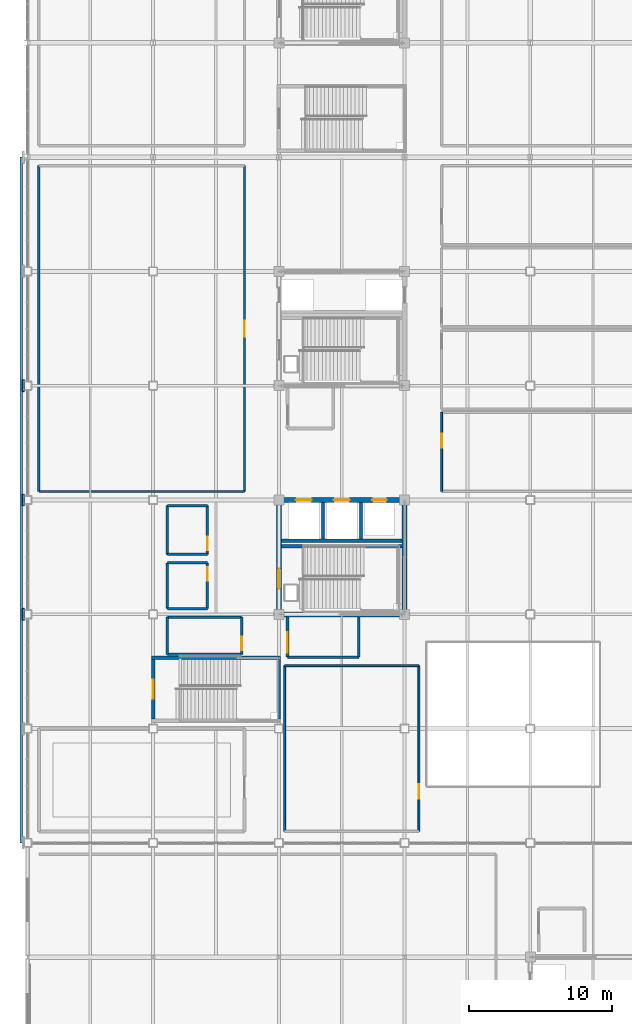
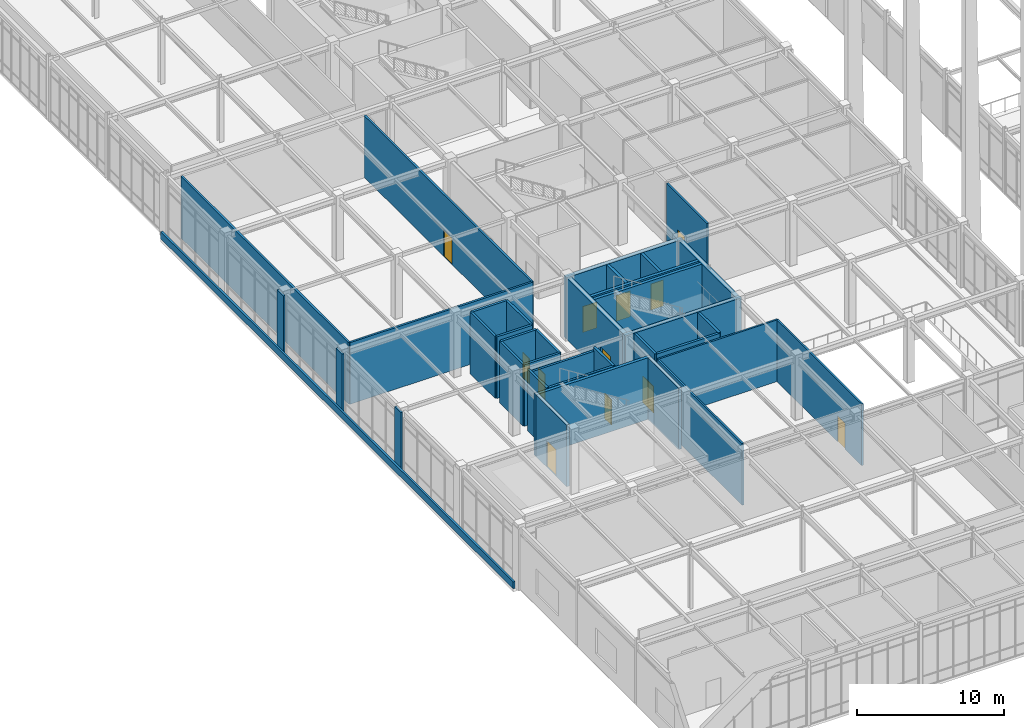
# One storey, part 161 of 184: 37 walls, 12 doors, 12 openings.
"""IFC4 building model written with IfcOpenShell, lengths in metres."""

from ifc_helpers import new_model, si_unit, direction, frame, frame_2d, origin, place, context, subcontext, project, spatial, rectangle, extrude, material, layer, layer_set, type_object, element, fill, save


model = new_model("IFC4")

# Units and contexts
model_context = context("Model", 3, precision=1e-05, world=origin(), true_north=direction((0.0, 1.0)))
body_context = subcontext(model_context, "Body", "Model", "MODEL_VIEW")
ifc_project = project(units=[si_unit("LENGTHUNIT", "METRE"), si_unit("AREAUNIT", "SQUARE_METRE"), si_unit("VOLUMEUNIT", "CUBIC_METRE"), si_unit("PLANEANGLEUNIT", "RADIAN"), si_unit("MASSUNIT", "GRAM", prefix="KILO")], contexts=[model_context])

# Site, building, storey
site_placement = place(None, origin())
site = spatial("IfcSite", under=ifc_project, at=site_placement, CompositionType="ELEMENT")
building_placement = place(site_placement, origin())
building = spatial("IfcBuilding", under=site, at=building_placement, Name="Zhaolan Boulevard Law Courts", CompositionType="ELEMENT")
storey_placement = place(building_placement, frame((0.0, 0.0, 5.39990234375)))
storey = spatial("IfcBuildingStorey", under=building, at=storey_placement, Name="L01", CompositionType="ELEMENT", Elevation=5.39990234375)

# Wall
ifc_material_1 = material(Name="Concrete C50", Category="concrete")
ifc_layer_1 = layer(ifc_material_1, 0.35009765625)
ifc_layer_set_1 = layer_set([ifc_layer_1])
wall_type_1 = type_object("IfcWallType", Name="CORE SHEAR WALL 350", PredefinedType="SHEAR", material=ifc_layer_set_1)
wall_1_placement = place(storey_placement, frame((17.425048828125, 46.0, 0.0), z_axis=(0.0, 0.0, 1.0), x_axis=(1.0, 0.0, 0.0)))
element("IfcWall", 1, at=wall_1_placement, inside=storey, type_object=wall_type_1, Name="Core Shear Wall CW-W1-L01S", PredefinedType="SHEAR", context=body_context, shape_type="SweptSolid", body=[
    extrude(rectangle(XDim=9.14990234375, YDim=0.35009765625, at=frame_2d((4.574951171875, 0.0))), origin(), (0.0, 0.0, 1.0), 5.1201171875),
])

# Wall, openings, doors
wall_2_placement = place(storey_placement, frame((26.574951171875, 54.0, 0.0), z_axis=(0.0, 0.0, 1.0), x_axis=(-1.0, 0.0, 0.0)))
wall_2 = element("IfcWall", 2, at=wall_2_placement, inside=storey, type_object=wall_type_1, Name="Core Shear Wall CW-W1-L01N", PredefinedType="SHEAR", context=body_context, shape_type="SweptSolid", body=[
    extrude(rectangle(XDim=9.14990234375, YDim=0.35009765625, at=frame_2d((4.574951171875, 0.0))), origin(), (0.0, 0.0, 1.0), 5.1201171875),
])
opening_1_placement = place(wall_2_placement, frame((6.675048828125, 0.0, 0.0)))
opening_1 = element("IfcOpeningElement", 3, at=opening_1_placement, cuts=wall_2, Name="Opening LD-FL-01-L01", PredefinedType="OPENING", context=body_context, shape_type="SweptSolid", body=[
    extrude(rectangle(XDim=1.10009765625, YDim=2.14990234375, at=frame_2d((0.550048828125, 1.074951171875))), frame((0.0, 0.18505859375, 0.0), z_axis=(0.0, -1.0, 0.0), x_axis=(1.0, 0.0, 0.0)), (0.0, 0.0, 1.0), 0.3701171875),
])
opening_2_placement = place(wall_2_placement, frame((4.02490234375, 0.0, 0.0)))
opening_2 = element("IfcOpeningElement", 4, at=opening_2_placement, cuts=wall_2, Name="Opening LD-FL-02-L01", PredefinedType="OPENING", context=body_context, shape_type="SweptSolid", body=[
    extrude(rectangle(XDim=1.10009765625, YDim=2.14990234375, at=frame_2d((0.550048828125, 1.074951171875))), frame((0.0, 0.18505859375, 0.0), z_axis=(0.0, -1.0, 0.0), x_axis=(1.0, 0.0, 0.0)), (0.0, 0.0, 1.0), 0.3701171875),
])
opening_3_placement = place(wall_2_placement, frame((1.425048828125, 0.0, 0.0)))
opening_3 = element("IfcOpeningElement", 5, at=opening_3_placement, cuts=wall_2, Name="Opening LD-JL-01-L01", PredefinedType="OPENING", context=body_context, shape_type="SweptSolid", body=[
    extrude(rectangle(XDim=1.0, YDim=2.14990234375, at=frame_2d((0.5, 1.074951171875))), frame((0.0, 0.18505859375, 0.0), z_axis=(0.0, -1.0, 0.0), x_axis=(1.0, 0.0, 0.0)), (0.0, 0.0, 1.0), 0.3701171875),
])
ifc_material_2 = material(Name="Stainless steel sliding landing door", Category="steel")
door_type_1 = type_object("IfcDoorType", Name="LIFT LANDING 1000X2150", OperationType="DOUBLE_DOOR_SLIDING", PredefinedType="DOOR", material=ifc_material_2)
door_1_placement = place(opening_3_placement, origin())
door_1 = element("IfcDoor", 6, at=door_1_placement, inside=storey, type_object=door_type_1, Name="Lift Landing Sliding Door LD-JL-01-L01", OperationType="DOUBLE_DOOR_SLIDING", OverallHeight=2.14990234375, OverallWidth=1.0, PredefinedType="DOOR", context=body_context, shape_type="SweptSolid", body=[
    extrude(rectangle(XDim=1.0, YDim=2.14990234375, at=frame_2d((0.5, 1.074951171875))), frame((0.0, 0.02490234375, 0.0), z_axis=(0.0, -1.0, 0.0), x_axis=(1.0, 0.0, 0.0)), (0.0, 0.0, 1.0), 0.050048828125),
])
fill(opening_3, door_1)
ifc_material_3 = material(Name="Stainless steel sliding landing door", Category="steel")
door_type_2 = type_object("IfcDoorType", Name="LIFT LANDING 1100X2150", OperationType="DOUBLE_DOOR_SLIDING", PredefinedType="DOOR", material=ifc_material_3)
door_2_placement = place(opening_1_placement, origin())
door_2 = element("IfcDoor", 7, at=door_2_placement, inside=storey, type_object=door_type_2, Name="Lift Landing Sliding Door LD-FL-01-L01", OperationType="DOUBLE_DOOR_SLIDING", OverallHeight=2.14990234375, OverallWidth=1.10009765625, PredefinedType="DOOR", context=body_context, shape_type="SweptSolid", body=[
    extrude(rectangle(XDim=1.10009765625, YDim=2.14990234375, at=frame_2d((0.550048828125, 1.074951171875))), frame((0.0, 0.02490234375, 0.0), z_axis=(0.0, -1.0, 0.0), x_axis=(1.0, 0.0, 0.0)), (0.0, 0.0, 1.0), 0.050048828125),
])
fill(opening_1, door_2)
door_3_placement = place(opening_2_placement, origin())
door_3 = element("IfcDoor", 8, at=door_3_placement, inside=storey, type_object=door_type_2, Name="Lift Landing Sliding Door LD-FL-02-L01", OperationType="DOUBLE_DOOR_SLIDING", OverallHeight=2.14990234375, OverallWidth=1.10009765625, PredefinedType="DOOR", context=body_context, shape_type="SweptSolid", body=[
    extrude(rectangle(XDim=1.10009765625, YDim=2.14990234375, at=frame_2d((0.550048828125, 1.074951171875))), frame((0.0, 0.02490234375, 0.0), z_axis=(0.0, -1.0, 0.0), x_axis=(1.0, 0.0, 0.0)), (0.0, 0.0, 1.0), 0.050048828125),
])
fill(opening_2, door_3)

# Wall, opening, door
wall_3_placement = place(storey_placement, frame((17.60009765625, 46.175048828125, 0.0), z_axis=(0.0, 0.0, 1.0), x_axis=(0.0, 1.0, 0.0)))
wall_3 = element("IfcWall", 9, at=wall_3_placement, inside=storey, type_object=wall_type_1, Name="Core Shear Wall CW-W1-L01W", PredefinedType="SHEAR", context=body_context, shape_type="SweptSolid", body=[
    extrude(rectangle(XDim=7.64990234375, YDim=0.35009765625, at=frame_2d((3.824951171875, 0.0))), origin(), (0.0, 0.0, 1.0), 5.1201171875),
])
opening_4_placement = place(wall_3_placement, frame((1.625, 0.0, 0.0)))
opening_4 = element("IfcOpeningElement", 10, at=opening_4_placement, cuts=wall_3, Name="Opening SD-L01-03", PredefinedType="OPENING", context=body_context, shape_type="SweptSolid", body=[
    extrude(rectangle(XDim=1.39990234375, YDim=2.199951171875, at=frame_2d((0.699951171875, 1.10009765625))), frame((0.0, 0.18505859375, 0.0), z_axis=(0.0, -1.0, 0.0), x_axis=(1.0, 0.0, 0.0)), (0.0, 0.0, 1.0), 0.3701171875),
])
ifc_material_4 = material(Name="Fire-rated steel acoustic door", Category="steel")
door_type_3 = type_object("IfcDoorType", Name="STAIR FIRE 1400X2200 L", OperationType="SINGLE_SWING_LEFT", PredefinedType="DOOR", material=ifc_material_4)
door_4_placement = place(opening_4_placement, origin())
door_4 = element("IfcDoor", 11, at=door_4_placement, inside=storey, type_object=door_type_3, Name="Smoke-Proof Stairwell Fire Door SD-L01-03", OperationType="SINGLE_SWING_LEFT", OverallHeight=2.199951171875, OverallWidth=1.39990234375, PredefinedType="DOOR", context=body_context, shape_type="SweptSolid", body=[
    extrude(rectangle(XDim=1.39990234375, YDim=2.199951171875, at=frame_2d((0.699951171875, 1.10009765625))), frame((0.0, 0.02490234375, 0.0), z_axis=(0.0, -1.0, 0.0), x_axis=(1.0, 0.0, 0.0)), (0.0, 0.0, 1.0), 0.050048828125),
])
fill(opening_4, door_4)

# Walls
wall_4_placement = place(storey_placement, frame((26.39990234375, 46.175048828125, 0.0), z_axis=(0.0, 0.0, 1.0), x_axis=(0.0, 1.0, 0.0)))
element("IfcWall", 12, at=wall_4_placement, inside=storey, type_object=wall_type_1, Name="Core Shear Wall CW-W1-L01E", PredefinedType="SHEAR", context=body_context, shape_type="SweptSolid", body=[
    extrude(rectangle(XDim=7.64990234375, YDim=0.35009765625, at=frame_2d((3.824951171875, 0.0))), origin(), (0.0, 0.0, 1.0), 5.1201171875),
])
ifc_material_5 = material(Name="Concrete C40", Category="concrete")
ifc_layer_2 = layer(ifc_material_5, 0.139892578125)
ifc_layer_set_2 = layer_set([ifc_layer_2])
wall_type_2 = type_object("IfcWallType", Name="EXT WALL ARCH CLAD140", PredefinedType="SOLIDWALL", material=ifc_layer_set_2)
for number, where, z_axis, x_axis, name in (
    (13, (-0.280029296875, 45.580078125, 0.0), (0.0, 0.0, 1.0), (0.0, 1.0, 0.0), "Concrete Column Cloak Pier CPR-044"),
    (14, (-0.280029296875, 53.580078125, 0.0), (0.0, 0.0, 1.0), (0.0, 1.0, 0.0), "Concrete Column Cloak Pier CPR-046"),
    (15, (-0.280029296875, 61.580078125, 0.0), (0.0, 0.0, 1.0), (0.0, 1.0, 0.0), "Concrete Column Cloak Pier CPR-048"),
):
    element("IfcWall", number, at=place(storey_placement, frame(where, z_axis=z_axis, x_axis=x_axis)), inside=storey, type_object=wall_type_2, Name=name, PredefinedType="SOLIDWALL", context=body_context, shape_type="SweptSolid", body=[
        extrude(rectangle(XDim=0.83984375, YDim=0.139892578125, at=frame_2d((0.419921875, 0.0))), origin(), (0.0, 0.0, 1.0), 5.14013671875),
    ])
ifc_material_6 = material(Name="Concrete C40", Category="concrete")
ifc_layer_3 = layer(ifc_material_6, 0.159912109375)
ifc_layer_set_3 = layer_set([ifc_layer_3])
wall_type_3 = type_object("IfcWallType", Name="EXT WALL ARCH CLAD160", PredefinedType="SOLIDWALL", material=ifc_layer_set_3)
wall_5_placement = place(storey_placement, frame((-0.43994140625, 78.0, 0.0), z_axis=(0.0, 0.0, 1.0), x_axis=(0.0, -1.0, 0.0)))
element("IfcWall", 16, at=wall_5_placement, inside=storey, type_object=wall_type_3, Name="Sculpted Concrete Spandrel Band CBW-038", PredefinedType="SOLIDWALL", context=body_context, shape_type="SweptSolid", body=[
    extrude(rectangle(XDim=48.0, YDim=0.159912109375, at=frame_2d((24.0, 0.0))), origin(), (0.0, 0.0, 1.0), 0.580078125),
])
ifc_material_7 = material(Name="Concrete C50", Category="concrete")
ifc_layer_4 = layer(ifc_material_7, 0.239990234375)
ifc_layer_set_4 = layer_set([ifc_layer_4])
wall_type_4 = type_object("IfcWallType", Name="LIFT SHAFT WALL 240", PredefinedType="SHEAR", material=ifc_layer_set_4)
wall_6_placement = place(storey_placement, frame((17.77490234375, 51.155029296875, 0.0), z_axis=(0.0, 0.0, 1.0), x_axis=(1.0, 0.0, 0.0)))
element("IfcWall", 17, at=wall_6_placement, inside=storey, type_object=wall_type_4, Name="Lift Shaft Enclosure Wall W1 (L01)", PredefinedType="SHEAR", context=body_context, shape_type="SweptSolid", body=[
    extrude(rectangle(XDim=8.4501953125, YDim=0.239990234375, at=frame_2d((4.22509765625, 0.0))), origin(), (0.0, 0.0, 1.0), 5.1201171875),
])
ifc_material_8 = material(Name="Acoustic gypsum and mineral-wool stud")
ifc_layer_5 = layer(ifc_material_8, 0.18994140625)
ifc_layer_set_5 = layer_set([ifc_layer_5])
wall_type_5 = type_object("IfcWallType", Name="PART WALL ACOUST190", PredefinedType="PARTITIONING", material=ifc_layer_set_5)
wall_7_placement = place(storey_placement, frame((18.199951171875, 43.0, 0.0), z_axis=(0.0, 0.0, 1.0), x_axis=(1.0, 0.0, 0.0)))
element("IfcWall", 18, at=wall_7_placement, inside=storey, type_object=wall_type_5, Name="Interior Partition PW-L01-013", PredefinedType="PARTITIONING", context=body_context, shape_type="SweptSolid", body=[
    extrude(rectangle(XDim=5.0, YDim=0.18994140625, at=frame_2d((2.5, 0.0))), origin(), (0.0, 0.0, 1.0), 5.1201171875),
])

# Wall, opening, door
wall_8_placement = place(storey_placement, frame((18.199951171875, 45.800048828125, 0.0), z_axis=(0.0, 0.0, 1.0), x_axis=(0.0, -1.0, 0.0)))
wall_8 = element("IfcWall", 19, at=wall_8_placement, inside=storey, type_object=wall_type_5, Name="Interior Partition PW-L01-014", PredefinedType="PARTITIONING", context=body_context, shape_type="SweptSolid", body=[
    extrude(rectangle(XDim=2.800048828125, YDim=0.18994140625, at=frame_2d((1.39990234375, 0.0))), origin(), (0.0, 0.0, 1.0), 5.1201171875),
])
opening_5_placement = place(wall_8_placement, frame((1.050048828125, 0.0, 0.0)))
opening_5 = element("IfcOpeningElement", 20, at=opening_5_placement, cuts=wall_8, Name="Opening FD-L01-005", PredefinedType="OPENING", context=body_context, shape_type="SweptSolid", body=[
    extrude(rectangle(XDim=1.449951171875, YDim=2.199951171875, at=frame_2d((0.72509765625, 1.10009765625))), frame((0.0, 0.10498046875, 0.0), z_axis=(0.0, -1.0, 0.0), x_axis=(1.0, 0.0, 0.0)), (0.0, 0.0, 1.0), 0.2099609375),
])
ifc_material_9 = material(Name="Fire-rated steel acoustic door", Category="steel")
door_type_4 = type_object("IfcDoorType", Name="LOBBY FIRE 1450X2200 L", OperationType="SINGLE_SWING_LEFT", PredefinedType="DOOR", material=ifc_material_9)
door_5_placement = place(opening_5_placement, origin())
door_5 = element("IfcDoor", 21, at=door_5_placement, inside=storey, type_object=door_type_4, Name="Door FD-L01-005 (Lobby Firefighting Lift L01-W1)", OperationType="SINGLE_SWING_LEFT", OverallHeight=2.199951171875, OverallWidth=1.449951171875, PredefinedType="DOOR", context=body_context, shape_type="SweptSolid", body=[
    extrude(rectangle(XDim=1.449951171875, YDim=2.199951171875, at=frame_2d((0.72509765625, 1.10009765625))), frame((0.0, 0.02490234375, 0.0), z_axis=(0.0, -1.0, 0.0), x_axis=(1.0, 0.0, 0.0)), (0.0, 0.0, 1.0), 0.050048828125),
])
fill(opening_5, door_5)

# Walls
wall_9_placement = place(storey_placement, frame((23.199951171875, 43.0, 0.0), z_axis=(0.0, 0.0, 1.0), x_axis=(0.0, 1.0, 0.0)))
element("IfcWall", 22, at=wall_9_placement, inside=storey, type_object=wall_type_5, Name="Interior Partition PW-L01-015", PredefinedType="PARTITIONING", context=body_context, shape_type="SweptSolid", body=[
    extrude(rectangle(XDim=2.800048828125, YDim=0.18994140625, at=frame_2d((1.39990234375, 0.0))), origin(), (0.0, 0.0, 1.0), 5.1201171875),
])
ifc_material_10 = material(Name="Fire-rated gypsum stud partition")
ifc_layer_6 = layer(ifc_material_10, 0.159912109375)
ifc_layer_set_6 = layer_set([ifc_layer_6])
wall_type_6 = type_object("IfcWallType", Name="PART WALL CHAMB160", PredefinedType="PARTITIONING", material=ifc_layer_set_6)
wall_10_placement = place(storey_placement, frame((0.800048828125, 54.60009765625, 0.0), z_axis=(0.0, 0.0, 1.0), x_axis=(1.0, 0.0, 0.0)))
element("IfcWall", 23, at=wall_10_placement, inside=storey, type_object=wall_type_6, Name="Interior Partition PW-L01-403", PredefinedType="PARTITIONING", context=body_context, shape_type="SweptSolid", body=[
    extrude(rectangle(XDim=14.39990234375, YDim=0.159912109375, at=frame_2d((7.199951171875, 0.0))), origin(), (0.0, 0.0, 1.0), 5.1201171875),
])
wall_11_placement = place(storey_placement, frame((0.800048828125, 77.39990234375, 0.0), z_axis=(0.0, 0.0, 1.0), x_axis=(0.0, -1.0, 0.0)))
element("IfcWall", 24, at=wall_11_placement, inside=storey, type_object=wall_type_6, Name="Interior Partition PW-L01-405", PredefinedType="PARTITIONING", context=body_context, shape_type="SweptSolid", body=[
    extrude(rectangle(XDim=22.7998046875, YDim=0.159912109375, at=frame_2d((11.39990234375, 0.0))), origin(), (0.0, 0.0, 1.0), 5.1201171875),
])

# Wall, opening, door
wall_12_placement = place(storey_placement, frame((15.199951171875, 54.60009765625, 0.0), z_axis=(0.0, 0.0, 1.0), x_axis=(0.0, 1.0, 0.0)))
wall_12 = element("IfcWall", 25, at=wall_12_placement, inside=storey, type_object=wall_type_6, Name="Interior Partition PW-L01-406", PredefinedType="PARTITIONING", context=body_context, shape_type="SweptSolid", body=[
    extrude(rectangle(XDim=22.7998046875, YDim=0.159912109375, at=frame_2d((11.39990234375, 0.0))), origin(), (0.0, 0.0, 1.0), 5.1201171875),
])
opening_6_placement = place(wall_12_placement, frame((10.840087890625, 0.0, 0.0)))
opening_6 = element("IfcOpeningElement", 26, at=opening_6_placement, cuts=wall_12, Name="Opening JR-L01-126", PredefinedType="OPENING", context=body_context, shape_type="SweptSolid", body=[
    extrude(rectangle(XDim=1.1201171875, YDim=2.199951171875, at=frame_2d((0.56005859375, 1.10009765625))), frame((0.0, 0.08984375, 0.0), z_axis=(0.0, -1.0, 0.0), x_axis=(1.0, 0.0, 0.0)), (0.0, 0.0, 1.0), 0.179931640625),
])
ifc_material_11 = material(Name="Solid-core acoustic oak veneer door")
door_type_5 = type_object("IfcDoorType", Name="JURY DOOR 1120X2200 R", OperationType="SINGLE_SWING_RIGHT", PredefinedType="DOOR", material=ifc_material_11)
door_6_placement = place(opening_6_placement, origin())
door_6 = element("IfcDoor", 27, at=door_6_placement, inside=storey, type_object=door_type_5, Name="Door JR-L01-126 (Jury Room L01)", OperationType="SINGLE_SWING_RIGHT", OverallHeight=2.199951171875, OverallWidth=1.1201171875, PredefinedType="DOOR", context=body_context, shape_type="SweptSolid", body=[
    extrude(rectangle(XDim=1.1201171875, YDim=2.199951171875, at=frame_2d((0.56005859375, 1.10009765625))), frame((0.0, 0.02490234375, 0.0), z_axis=(0.0, -1.0, 0.0), x_axis=(1.0, 0.0, 0.0)), (0.0, 0.0, 1.0), 0.050048828125),
])
fill(opening_6, door_6)

# Walls
ifc_material_12 = material(Name="Concrete C40", Category="concrete")
ifc_layer_7 = layer(ifc_material_12, 0.2099609375)
ifc_layer_set_7 = layer_set([ifc_layer_7])
wall_type_7 = type_object("IfcWallType", Name="PART WALL CUSTODY210", PredefinedType="PARTITIONING", material=ifc_layer_set_7)
for number, where, z_axis, x_axis, name in (
    (28, (20.675048828125, 51.277099609375, 0.0), (0.0, 0.0, 1.0), (0.0, 1.0, 0.0), "Lift Shaft Divider Wall W1-1 (L01)"),
    (29, (23.337890625, 51.277099609375, 0.0), (0.0, 0.0, 1.0), (0.0, 1.0, 0.0), "Lift Shaft Divider Wall W1-2 (L01)"),
):
    element("IfcWall", number, at=place(storey_placement, frame(where, z_axis=z_axis, x_axis=x_axis)), inside=storey, type_object=wall_type_7, Name=name, PredefinedType="PARTITIONING", context=body_context, shape_type="SweptSolid", body=[
        extrude(rectangle(XDim=2.5458984375, YDim=0.2099609375, at=frame_2d((1.27294921875, 0.0))), origin(), (0.0, 0.0, 1.0), 5.1201171875),
    ])

# Wall, opening, door
ifc_material_13 = material(Name="Fire-rated gypsum stud partition")
ifc_layer_8 = layer(ifc_material_13, 0.139892578125)
ifc_layer_set_8 = layer_set([ifc_layer_8])
wall_type_8 = type_object("IfcWallType", Name="PART WALL OFFICE140", PredefinedType="PARTITIONING", material=ifc_layer_set_8)
wall_13_placement = place(storey_placement, frame((29.0, 60.135009765625, 0.0), z_axis=(0.0, 0.0, 1.0), x_axis=(0.0, -1.0, 0.0)))
wall_13 = element("IfcWall", 30, at=wall_13_placement, inside=storey, type_object=wall_type_8, Name="Interior Partition PW-L01-409", PredefinedType="PARTITIONING", context=body_context, shape_type="SweptSolid", body=[
    extrude(rectangle(XDim=5.534912109375, YDim=0.139892578125, at=frame_2d((2.767578125, 0.0))), origin(), (0.0, 0.0, 1.0), 5.1201171875),
])
opening_7_placement = place(wall_13_placement, frame((1.486083984375, 0.0, 0.0)))
opening_7 = element("IfcOpeningElement", 31, at=opening_7_placement, cuts=wall_13, Name="Opening JD-L01-127", PredefinedType="OPENING", context=body_context, shape_type="SweptSolid", body=[
    extrude(rectangle(XDim=0.97998046875, YDim=2.14990234375, at=frame_2d((0.489990234375, 1.074951171875))), frame((0.0, 0.079833984375, 0.0), z_axis=(0.0, -1.0, 0.0), x_axis=(1.0, 0.0, 0.0)), (0.0, 0.0, 1.0), 0.159912109375),
])
ifc_material_14 = material(Name="Solid-core acoustic oak veneer door")
door_type_6 = type_object("IfcDoorType", Name="CHAMBER DOOR 980X2150 R", OperationType="SINGLE_SWING_RIGHT", PredefinedType="DOOR", material=ifc_material_14)
door_7_placement = place(opening_7_placement, origin())
door_7 = element("IfcDoor", 32, at=door_7_placement, inside=storey, type_object=door_type_6, Name="Door JD-L01-127 (Judges' Chambers L01-01)", OperationType="SINGLE_SWING_RIGHT", OverallHeight=2.14990234375, OverallWidth=0.97998046875, PredefinedType="DOOR", context=body_context, shape_type="SweptSolid", body=[
    extrude(rectangle(XDim=0.97998046875, YDim=2.14990234375, at=frame_2d((0.489990234375, 1.074951171875))), frame((0.0, 0.02490234375, 0.0), z_axis=(0.0, -1.0, 0.0), x_axis=(1.0, 0.0, 0.0)), (0.0, 0.0, 1.0), 0.050048828125),
])
fill(opening_7, door_7)

# Walls
wall_14_placement = place(storey_placement, frame((27.39990234375, 42.39990234375, 0.0), z_axis=(0.0, 0.0, 1.0), x_axis=(-1.0, 0.0, 0.0)))
element("IfcWall", 33, at=wall_14_placement, inside=storey, type_object=wall_type_8, Name="Interior Partition PW-L01-760", PredefinedType="PARTITIONING", context=body_context, shape_type="SweptSolid", body=[
    extrude(rectangle(XDim=9.39990234375, YDim=0.139892578125, at=frame_2d((4.699951171875, 0.0))), origin(), (0.0, 0.0, 1.0), 5.1201171875),
])
wall_15_placement = place(storey_placement, frame((18.0, 42.39990234375, 0.0), z_axis=(0.0, 0.0, 1.0), x_axis=(0.0, -1.0, 0.0)))
element("IfcWall", 34, at=wall_15_placement, inside=storey, type_object=wall_type_8, Name="Interior Partition PW-L01-761", PredefinedType="PARTITIONING", context=body_context, shape_type="SweptSolid", body=[
    extrude(rectangle(XDim=11.599853515625, YDim=0.139892578125, at=frame_2d((5.7998046875, 0.0))), origin(), (0.0, 0.0, 1.0), 5.1201171875),
])

# Wall, opening, door
wall_16_placement = place(storey_placement, frame((27.39990234375, 30.800048828125, 0.0), z_axis=(0.0, 0.0, 1.0), x_axis=(0.0, 1.0, 0.0)))
wall_16 = element("IfcWall", 35, at=wall_16_placement, inside=storey, type_object=wall_type_8, Name="Interior Partition PW-L01-762", PredefinedType="PARTITIONING", context=body_context, shape_type="SweptSolid", body=[
    extrude(rectangle(XDim=11.599853515625, YDim=0.139892578125, at=frame_2d((5.7998046875, 0.0))), origin(), (0.0, 0.0, 1.0), 5.1201171875),
])
opening_8_placement = place(wall_16_placement, frame((2.300048828125, 0.0, 0.0)))
opening_8 = element("IfcOpeningElement", 36, at=opening_8_placement, cuts=wall_16, Name="Opening JD-L01-238", PredefinedType="OPENING", context=body_context, shape_type="SweptSolid", body=[
    extrude(rectangle(XDim=1.0, YDim=2.14990234375, at=frame_2d((0.5, 1.074951171875))), frame((0.0, 0.079833984375, 0.0), z_axis=(0.0, -1.0, 0.0), x_axis=(1.0, 0.0, 0.0)), (0.0, 0.0, 1.0), 0.159912109375),
])
ifc_material_15 = material(Name="Solid-core acoustic oak veneer door")
door_type_7 = type_object("IfcDoorType", Name="CHAMBER DOOR 1000X2150 L", OperationType="SINGLE_SWING_LEFT", PredefinedType="DOOR", material=ifc_material_15)
door_8_placement = place(opening_8_placement, origin())
door_8 = element("IfcDoor", 37, at=door_8_placement, inside=storey, type_object=door_type_7, Name="Door JD-L01-238 (Judicial Clerkship Office L01)", OperationType="SINGLE_SWING_LEFT", OverallHeight=2.14990234375, OverallWidth=1.0, PredefinedType="DOOR", context=body_context, shape_type="SweptSolid", body=[
    extrude(rectangle(XDim=1.0, YDim=2.14990234375, at=frame_2d((0.5, 1.074951171875))), frame((0.0, 0.02490234375, 0.0), z_axis=(0.0, -1.0, 0.0), x_axis=(1.0, 0.0, 0.0)), (0.0, 0.0, 1.0), 0.050048828125),
])
fill(opening_8, door_8)

# Walls
ifc_material_16 = material(Name="Moisture-resistant masonry chase wall", Category="masonry")
ifc_layer_9 = layer(ifc_material_16, 0.179931640625)
ifc_layer_set_9 = layer_set([ifc_layer_9])
wall_type_9 = type_object("IfcWallType", Name="PLUMB WALL 180", PredefinedType="PLUMBINGWALL", material=ifc_layer_set_9)
for number, where, z_axis, x_axis, name in (
    (38, (9.800048828125, 46.39990234375, 0.0), (0.0, 0.0, 1.0), (1.0, 0.0, 0.0), "Interior Partition PW-L01-103"),
    (39, (12.60009765625, 49.60009765625, 0.0), (0.0, 0.0, 1.0), (-1.0, 0.0, 0.0), "Interior Partition PW-L01-104"),
):
    element("IfcWall", number, at=place(storey_placement, frame(where, z_axis=z_axis, x_axis=x_axis)), inside=storey, type_object=wall_type_9, Name=name, PredefinedType="PLUMBINGWALL", context=body_context, shape_type="SweptSolid", body=[
        extrude(rectangle(XDim=2.800048828125, YDim=0.179931640625, at=frame_2d((1.39990234375, 0.0))), origin(), (0.0, 0.0, 1.0), 5.1201171875),
    ])
wall_17_placement = place(storey_placement, frame((9.800048828125, 49.60009765625, 0.0), z_axis=(0.0, 0.0, 1.0), x_axis=(0.0, -1.0, 0.0)))
element("IfcWall", 40, at=wall_17_placement, inside=storey, type_object=wall_type_9, Name="Interior Partition PW-L01-105", PredefinedType="PLUMBINGWALL", context=body_context, shape_type="SweptSolid", body=[
    extrude(rectangle(XDim=3.2001953125, YDim=0.179931640625, at=frame_2d((1.60009765625, 0.0))), origin(), (0.0, 0.0, 1.0), 5.1201171875),
])

# Wall, opening, door
wall_18_placement = place(storey_placement, frame((12.60009765625, 46.39990234375, 0.0), z_axis=(0.0, 0.0, 1.0), x_axis=(0.0, 1.0, 0.0)))
wall_18 = element("IfcWall", 41, at=wall_18_placement, inside=storey, type_object=wall_type_9, Name="Interior Partition PW-L01-106", PredefinedType="PLUMBINGWALL", context=body_context, shape_type="SweptSolid", body=[
    extrude(rectangle(XDim=3.2001953125, YDim=0.179931640625, at=frame_2d((1.60009765625, 0.0))), origin(), (0.0, 0.0, 1.0), 5.1201171875),
])
opening_9_placement = place(wall_18_placement, frame((1.93994140625, 0.0, 0.0)))
opening_9 = element("IfcOpeningElement", 42, at=opening_9_placement, cuts=wall_18, Name="Opening WD-L01-034", PredefinedType="OPENING", context=body_context, shape_type="SweptSolid", body=[
    extrude(rectangle(XDim=0.9599609375, YDim=2.10009765625, at=frame_2d((0.47998046875, 1.050048828125))), frame((0.0, 0.099853515625, 0.0), z_axis=(0.0, -1.0, 0.0), x_axis=(1.0, 0.0, 0.0)), (0.0, 0.0, 1.0), 0.199951171875),
])
ifc_material_17 = material(Name="Solid-core acoustic oak veneer door")
door_type_8 = type_object("IfcDoorType", Name="WCDOOR ACC 960X2100 L", OperationType="SINGLE_SWING_LEFT", PredefinedType="DOOR", material=ifc_material_17)
door_9_placement = place(opening_9_placement, origin())
door_9 = element("IfcDoor", 43, at=door_9_placement, inside=storey, type_object=door_type_8, Name="Door WD-L01-034 (Accessible WC L01)", OperationType="SINGLE_SWING_LEFT", OverallHeight=2.10009765625, OverallWidth=0.9599609375, PredefinedType="DOOR", context=body_context, shape_type="SweptSolid", body=[
    extrude(rectangle(XDim=0.9599609375, YDim=2.10009765625, at=frame_2d((0.47998046875, 1.050048828125))), frame((0.0, 0.02490234375, 0.0), z_axis=(0.0, -1.0, 0.0), x_axis=(1.0, 0.0, 0.0)), (0.0, 0.0, 1.0), 0.050048828125),
])
fill(opening_9, door_9)

# Walls
for number, where, z_axis, x_axis, name in (
    (44, (9.800048828125, 50.199951171875, 0.0), (0.0, 0.0, 1.0), (1.0, 0.0, 0.0), "Interior Partition PW-L01-107"),
    (45, (12.60009765625, 53.60009765625, 0.0), (0.0, 0.0, 1.0), (-1.0, 0.0, 0.0), "Interior Partition PW-L01-108"),
):
    element("IfcWall", number, at=place(storey_placement, frame(where, z_axis=z_axis, x_axis=x_axis)), inside=storey, type_object=wall_type_9, Name=name, PredefinedType="PLUMBINGWALL", context=body_context, shape_type="SweptSolid", body=[
        extrude(rectangle(XDim=2.800048828125, YDim=0.179931640625, at=frame_2d((1.39990234375, 0.0))), origin(), (0.0, 0.0, 1.0), 5.1201171875),
    ])
wall_19_placement = place(storey_placement, frame((9.800048828125, 53.60009765625, 0.0), z_axis=(0.0, 0.0, 1.0), x_axis=(0.0, -1.0, 0.0)))
element("IfcWall", 46, at=wall_19_placement, inside=storey, type_object=wall_type_9, Name="Interior Partition PW-L01-109", PredefinedType="PLUMBINGWALL", context=body_context, shape_type="SweptSolid", body=[
    extrude(rectangle(XDim=3.400146484375, YDim=0.179931640625, at=frame_2d((1.7001953125, 0.0))), origin(), (0.0, 0.0, 1.0), 5.1201171875),
])

# Wall, opening, door
wall_20_placement = place(storey_placement, frame((12.60009765625, 50.199951171875, 0.0), z_axis=(0.0, 0.0, 1.0), x_axis=(0.0, 1.0, 0.0)))
wall_20 = element("IfcWall", 47, at=wall_20_placement, inside=storey, type_object=wall_type_9, Name="Interior Partition PW-L01-110", PredefinedType="PLUMBINGWALL", context=body_context, shape_type="SweptSolid", body=[
    extrude(rectangle(XDim=3.400146484375, YDim=0.179931640625, at=frame_2d((1.7001953125, 0.0))), origin(), (0.0, 0.0, 1.0), 5.1201171875),
])
opening_10_placement = place(wall_20_placement, frame((0.300048828125, 0.0, 0.0)))
opening_10 = element("IfcOpeningElement", 48, at=opening_10_placement, cuts=wall_20, Name="Opening WD-L01-035", PredefinedType="OPENING", context=body_context, shape_type="SweptSolid", body=[
    extrude(rectangle(XDim=0.919921875, YDim=2.10009765625, at=frame_2d((0.4599609375, 1.050048828125))), frame((0.0, 0.099853515625, 0.0), z_axis=(0.0, -1.0, 0.0), x_axis=(1.0, 0.0, 0.0)), (0.0, 0.0, 1.0), 0.199951171875),
])
ifc_material_18 = material(Name="Solid-core acoustic oak veneer door")
door_type_9 = type_object("IfcDoorType", Name="WCDOOR PUB 920X2100 R", OperationType="SINGLE_SWING_RIGHT", PredefinedType="DOOR", material=ifc_material_18)
door_10_placement = place(opening_10_placement, origin())
door_10 = element("IfcDoor", 49, at=door_10_placement, inside=storey, type_object=door_type_9, Name="Door WD-L01-035 (WC Public Male L01)", OperationType="SINGLE_SWING_RIGHT", OverallHeight=2.10009765625, OverallWidth=0.919921875, PredefinedType="DOOR", context=body_context, shape_type="SweptSolid", body=[
    extrude(rectangle(XDim=0.919921875, YDim=2.10009765625, at=frame_2d((0.4599609375, 1.050048828125))), frame((0.0, 0.02490234375, 0.0), z_axis=(0.0, -1.0, 0.0), x_axis=(1.0, 0.0, 0.0)), (0.0, 0.0, 1.0), 0.050048828125),
])
fill(opening_10, door_10)

# Walls
wall_21_placement = place(storey_placement, frame((9.800048828125, 43.199951171875, 0.0), z_axis=(0.0, 0.0, 1.0), x_axis=(1.0, 0.0, 0.0)))
element("IfcWall", 50, at=wall_21_placement, inside=storey, type_object=wall_type_9, Name="Interior Partition PW-L01-111", PredefinedType="PLUMBINGWALL", context=body_context, shape_type="SweptSolid", body=[
    extrude(rectangle(XDim=5.199951171875, YDim=0.179931640625, at=frame_2d((2.60009765625, 0.0))), origin(), (0.0, 0.0, 1.0), 5.1201171875),
])
wall_22_placement = place(storey_placement, frame((15.0, 45.800048828125, 0.0), z_axis=(0.0, 0.0, 1.0), x_axis=(-1.0, 0.0, 0.0)))
element("IfcWall", 51, at=wall_22_placement, inside=storey, type_object=wall_type_9, Name="Interior Partition PW-L01-112", PredefinedType="PLUMBINGWALL", context=body_context, shape_type="SweptSolid", body=[
    extrude(rectangle(XDim=5.199951171875, YDim=0.179931640625, at=frame_2d((2.60009765625, 0.0))), origin(), (0.0, 0.0, 1.0), 4.826171875),
])
wall_23_placement = place(storey_placement, frame((9.800048828125, 45.800048828125, 0.0), z_axis=(0.0, 0.0, 1.0), x_axis=(0.0, -1.0, 0.0)))
element("IfcWall", 52, at=wall_23_placement, inside=storey, type_object=wall_type_9, Name="Interior Partition PW-L01-113", PredefinedType="PLUMBINGWALL", context=body_context, shape_type="SweptSolid", body=[
    extrude(rectangle(XDim=2.60009765625, YDim=0.179931640625, at=frame_2d((1.300048828125, 0.0))), origin(), (0.0, 0.0, 1.0), 5.1201171875),
])

# Wall, opening, door
wall_24_placement = place(storey_placement, frame((15.0, 43.199951171875, 0.0), z_axis=(0.0, 0.0, 1.0), x_axis=(0.0, 1.0, 0.0)))
wall_24 = element("IfcWall", 53, at=wall_24_placement, inside=storey, type_object=wall_type_9, Name="Interior Partition PW-L01-114", PredefinedType="PLUMBINGWALL", context=body_context, shape_type="SweptSolid", body=[
    extrude(rectangle(XDim=2.60009765625, YDim=0.179931640625, at=frame_2d((1.300048828125, 0.0))), origin(), (0.0, 0.0, 1.0), 5.1201171875),
])
opening_11_placement = place(wall_24_placement, frame((0.300048828125, 0.0, 0.0)))
opening_11 = element("IfcOpeningElement", 54, at=opening_11_placement, cuts=wall_24, Name="Opening WD-L01-036", PredefinedType="OPENING", context=body_context, shape_type="SweptSolid", body=[
    extrude(rectangle(XDim=0.919921875, YDim=2.10009765625, at=frame_2d((0.4599609375, 1.050048828125))), frame((0.0, 0.099853515625, 0.0), z_axis=(0.0, -1.0, 0.0), x_axis=(1.0, 0.0, 0.0)), (0.0, 0.0, 1.0), 0.199951171875),
])
door_11_placement = place(opening_11_placement, origin())
door_11 = element("IfcDoor", 55, at=door_11_placement, inside=storey, type_object=door_type_9, Name="Door WD-L01-036 (WC Public Female L01)", OperationType="SINGLE_SWING_RIGHT", OverallHeight=2.10009765625, OverallWidth=0.919921875, PredefinedType="DOOR", context=body_context, shape_type="SweptSolid", body=[
    extrude(rectangle(XDim=0.919921875, YDim=2.10009765625, at=frame_2d((0.4599609375, 1.050048828125))), frame((0.0, 0.02490234375, 0.0), z_axis=(0.0, -1.0, 0.0), x_axis=(1.0, 0.0, 0.0)), (0.0, 0.0, 1.0), 0.050048828125),
])
fill(opening_11, door_11)

# Walls
ifc_material_19 = material(Name="Concrete C50", Category="concrete")
ifc_layer_10 = layer(ifc_material_19, 0.239990234375)
ifc_layer_set_10 = layer_set([ifc_layer_10])
wall_type_10 = type_object("IfcWallType", Name="STAIR WELL WALL 240", PredefinedType="SHEAR", material=ifc_layer_set_10)
wall_25_placement = place(storey_placement, frame((17.77490234375, 50.75, 0.0), z_axis=(0.0, 0.0, 1.0), x_axis=(1.0, 0.0, 0.0)))
element("IfcWall", 56, at=wall_25_placement, inside=storey, type_object=wall_type_10, Name="Stairwell Divider Shear Wall ST01-L01N", PredefinedType="SHEAR", context=body_context, shape_type="SweptSolid", body=[
    extrude(rectangle(XDim=8.4501953125, YDim=0.239990234375, at=frame_2d((4.22509765625, 0.0))), origin(), (0.0, 0.0, 1.0), 5.1201171875),
])
wall_26_placement = place(storey_placement, frame((17.719970703125, 42.949951171875, 0.0), z_axis=(0.0, 0.0, 1.0), x_axis=(-1.0, 0.0, 0.0)))
element("IfcWall", 57, at=wall_26_placement, inside=storey, type_object=wall_type_10, Name="Stairwell Shear Wall ST03-L01N", PredefinedType="SHEAR", context=body_context, shape_type="SweptSolid", body=[
    extrude(rectangle(XDim=9.0400390625, YDim=0.239990234375, at=frame_2d((4.52001953125, 0.0))), origin(), (0.0, 0.0, 1.0), 5.1201171875),
])

# Wall, opening, door
wall_27_placement = place(storey_placement, frame((8.800048828125, 38.669921875, 0.0), z_axis=(0.0, 0.0, 1.0), x_axis=(0.0, 1.0, 0.0)))
wall_27 = element("IfcWall", 58, at=wall_27_placement, inside=storey, type_object=wall_type_10, Name="Stairwell Shear Wall ST03-L01W", PredefinedType="SHEAR", context=body_context, shape_type="SweptSolid", body=[
    extrude(rectangle(XDim=4.16015625, YDim=0.239990234375, at=frame_2d((2.080078125, 0.0))), origin(), (0.0, 0.0, 1.0), 5.1201171875),
])
opening_12_placement = place(wall_27_placement, frame((1.405029296875, 0.0, 0.0)))
opening_12 = element("IfcOpeningElement", 59, at=opening_12_placement, cuts=wall_27, Name="Opening SD-L01-48", PredefinedType="OPENING", context=body_context, shape_type="SweptSolid", body=[
    extrude(rectangle(XDim=1.35009765625, YDim=2.199951171875, at=frame_2d((0.675048828125, 1.10009765625))), frame((0.0, 0.1298828125, 0.0), z_axis=(0.0, -1.0, 0.0), x_axis=(1.0, 0.0, 0.0)), (0.0, 0.0, 1.0), 0.260009765625),
])
ifc_material_20 = material(Name="Fire-rated steel acoustic door", Category="steel")
door_type_10 = type_object("IfcDoorType", Name="STAIR FIRE 1350X2200 R", OperationType="SINGLE_SWING_RIGHT", PredefinedType="DOOR", material=ifc_material_20)
door_12_placement = place(opening_12_placement, origin())
door_12 = element("IfcDoor", 60, at=door_12_placement, inside=storey, type_object=door_type_10, Name="Smoke-Proof Stairwell Fire Door SD-L01-48", OperationType="SINGLE_SWING_RIGHT", OverallHeight=2.199951171875, OverallWidth=1.35009765625, PredefinedType="DOOR", context=body_context, shape_type="SweptSolid", body=[
    extrude(rectangle(XDim=1.35009765625, YDim=2.199951171875, at=frame_2d((0.675048828125, 1.10009765625))), frame((0.0, 0.02490234375, 0.0), z_axis=(0.0, -1.0, 0.0), x_axis=(1.0, 0.0, 0.0)), (0.0, 0.0, 1.0), 0.050048828125),
])
fill(opening_12, door_12)

# Wall
wall_28_placement = place(storey_placement, frame((17.60009765625, 38.669921875, 0.0), z_axis=(0.0, 0.0, 1.0), x_axis=(0.0, 1.0, 0.0)))
element("IfcWall", 61, at=wall_28_placement, inside=storey, type_object=wall_type_10, Name="Stairwell Shear Wall ST03-L01E", PredefinedType="SHEAR", context=body_context, shape_type="SweptSolid", body=[
    extrude(rectangle(XDim=4.16015625, YDim=0.239990234375, at=frame_2d((2.080078125, 0.0))), origin(), (0.0, 0.0, 1.0), 5.1201171875),
])

save(model, "model.ifc")
